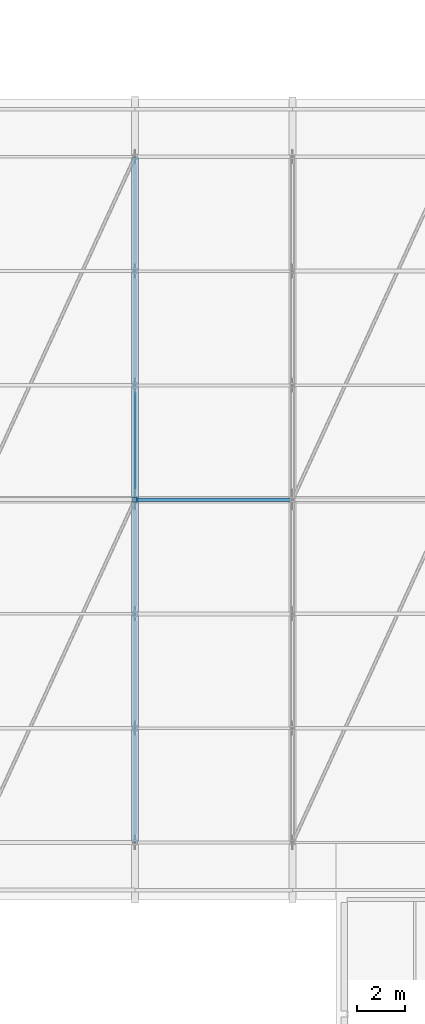
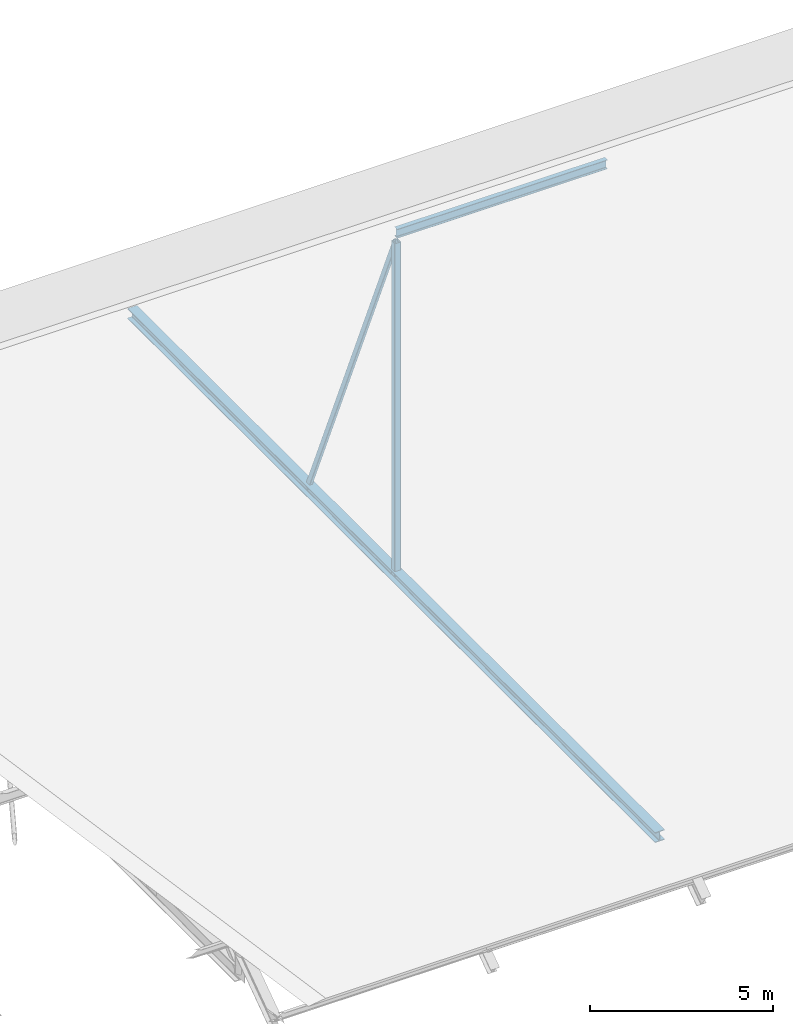
# One storey, part 56 of 134: 4 members.
"""IFC4 building model written with IfcOpenShell, lengths in metres."""

from ifc_helpers import new_model, si_unit, direction, frame, origin, origin_2d, place, context, subcontext, project, spatial, hollow_rectangle, i_section, extrude, material, material_profile, profile_set, type_object, element, save


model = new_model("IFC4")

# Units and contexts
model_context = context("Model", 3, precision=1e-05, world=origin(), true_north=direction((0.0, 1.0)))
body_context = subcontext(model_context, "Body", "Model", "MODEL_VIEW")
ifc_project = project(units=[si_unit("LENGTHUNIT", "METRE"), si_unit("AREAUNIT", "SQUARE_METRE"), si_unit("VOLUMEUNIT", "CUBIC_METRE"), si_unit("PLANEANGLEUNIT", "RADIAN"), si_unit("MASSUNIT", "GRAM", prefix="KILO")], contexts=[model_context])

# Site, building, storey
site_placement = place(None, origin())
site = spatial("IfcSite", under=ifc_project, at=site_placement, CompositionType="ELEMENT")
building_placement = place(site_placement, origin())
building = spatial("IfcBuilding", under=site, at=building_placement, Name="Asteropetra Specialist Clinic", CompositionType="ELEMENT")
storey_placement = place(building_placement, frame((0.0, 0.0, 8.5)))
storey = spatial("IfcBuildingStorey", under=building, at=storey_placement, Name="L02", CompositionType="ELEMENT", Elevation=8.5)

# Members
ifc_material_1 = material(Name="Steel S355", Category="steel")
ifc_material_profile_1 = material_profile(ifc_material_1, hollow_rectangle(XDim=0.10009765625, YDim=0.179931640625, WallThickness=0.008056640625, InnerFilletRadius=0.008056640625, OuterFilletRadius=0.01611328125, at=origin_2d()), Name="RHS 180x100x8.0")
ifc_profile_set_1 = profile_set([ifc_material_profile_1], Name="Steel S355")
member_type_1 = type_object("IfcMemberType", Name="TR-BRC-RHS180", PredefinedType="BRACE", material=ifc_profile_set_1)
member_1_placement = place(storey_placement, frame((106.760009765625, 91.199951171875, 11.4609375), z_axis=(0.0, 0.397191262273, -0.917735855883), x_axis=(-1.0, 0.0, 0.0)))
element("IfcMember", 1, at=member_1_placement, inside=storey, type_object=member_type_1, Name="Truss Web Diagonal TRV1-D04-3", PredefinedType="BRACE", context=body_context, shape_type="SweptSolid", body=[
    extrude(hollow_rectangle(XDim=0.10009765625, YDim=0.179931640625, WallThickness=0.008056640625, InnerFilletRadius=0.008056640625, OuterFilletRadius=0.01611328125, at=origin_2d()), origin(), (0.0, 0.0, 1.0), 12.0849609375),
])
ifc_material_2 = material(Name="Steel S355", Category="steel")
ifc_material_profile_2 = material_profile(ifc_material_2, i_section(OverallWidth=0.300048828125, OverallDepth=0.340087890625, WebThickness=0.011962890625, FlangeThickness=0.021484375, FilletRadius=0.027099609375, at=origin_2d()), Name="HEB 340")
ifc_profile_set_2 = profile_set([ifc_material_profile_2], Name="Steel S355")
member_type_2 = type_object("IfcMemberType", Name="TR-CHD-HEB340", PredefinedType="CHORD", material=ifc_profile_set_2)
member_2_placement = place(storey_placement, frame((106.760009765625, 76.800048828125, 0.3701171875), z_axis=(0.0, 1.0, 0.0), x_axis=(-1.0, 0.0, 0.0)))
element("IfcMember", 2, at=member_2_placement, inside=storey, type_object=member_type_2, Name="Truss Bottom Chord TRV1-BC04", PredefinedType="CHORD", context=body_context, shape_type="SweptSolid", body=[
    extrude(i_section(OverallWidth=0.300048828125, OverallDepth=0.340087890625, WebThickness=0.011962890625, FlangeThickness=0.021484375, FilletRadius=0.027099609375, at=origin_2d()), origin(), (0.0, 0.0, 1.0), 28.800048828125),
])
ifc_material_3 = material(Name="Steel S355", Category="steel")
ifc_material_profile_3 = material_profile(ifc_material_3, i_section(OverallWidth=0.14990234375, OverallDepth=0.300048828125, WebThickness=0.007080078125, FlangeThickness=0.0107421875, FilletRadius=0.014892578125, at=origin_2d()), Name="IPE 300")
ifc_profile_set_3 = profile_set([ifc_material_profile_3], Name="Steel S355")
member_type_3 = type_object("IfcMemberType", Name="TR-PUR-IPE300", PredefinedType="PURLIN", material=ifc_profile_set_3)
member_3_placement = place(storey_placement, frame((106.760009765625, 91.199951171875, 11.745849609375), z_axis=(1.0, 0.0, 0.0), x_axis=(0.0, 1.0, 0.0)))
element("IfcMember", 3, at=member_3_placement, inside=storey, type_object=member_type_3, Name="Roof Purlin TRV1-P04-05", PredefinedType="PURLIN", context=body_context, shape_type="SweptSolid", body=[
    extrude(i_section(OverallWidth=0.14990234375, OverallDepth=0.300048828125, WebThickness=0.007080078125, FlangeThickness=0.0107421875, FilletRadius=0.014892578125, at=origin_2d()), origin(), (0.0, 0.0, 1.0), 6.619873046875),
])
ifc_material_4 = material(Name="Steel S355", Category="steel")
ifc_material_profile_4 = material_profile(ifc_material_4, hollow_rectangle(XDim=0.199951171875, YDim=0.199951171875, WallThickness=0.010009765625, InnerFilletRadius=0.008056640625, OuterFilletRadius=0.01611328125, at=origin_2d()), Name="SHS 200x200x10.0")
ifc_profile_set_4 = profile_set([ifc_material_profile_4], Name="Steel S355")
member_type_4 = type_object("IfcMemberType", Name="TR-STR-SHS200", PredefinedType="STRUT", material=ifc_profile_set_4)
member_4_placement = place(storey_placement, frame((106.760009765625, 91.199951171875, 0.3701171875), z_axis=(0.0, 0.0, 1.0), x_axis=(1.0, 0.0, 0.0)))
element("IfcMember", 4, at=member_4_placement, inside=storey, type_object=member_type_4, Name="Truss Web Strut TRV1-V04-3", PredefinedType="STRUT", context=body_context, shape_type="SweptSolid", body=[
    extrude(hollow_rectangle(XDim=0.199951171875, YDim=0.199951171875, WallThickness=0.010009765625, InnerFilletRadius=0.008056640625, OuterFilletRadius=0.01611328125, at=origin_2d()), origin(), (0.0, 0.0, 1.0), 11.0908203125),
])

save(model, "model.ifc")
